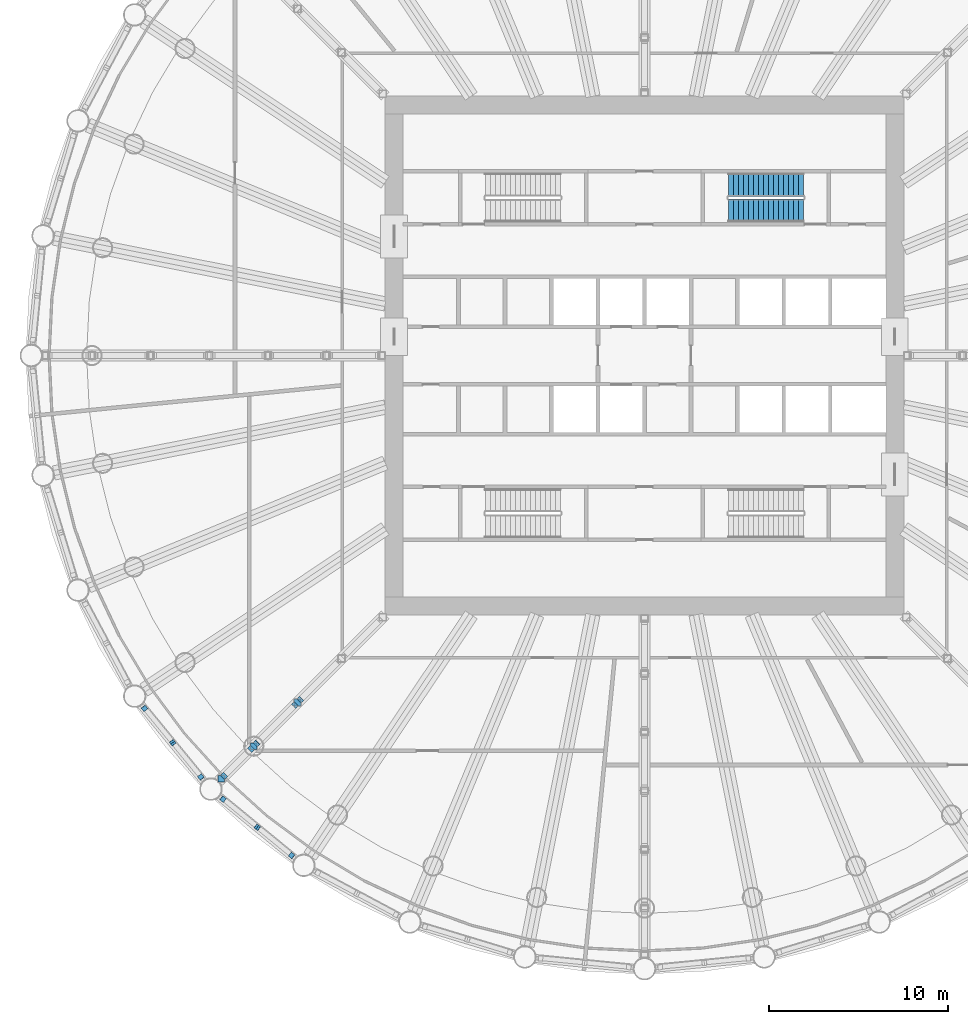
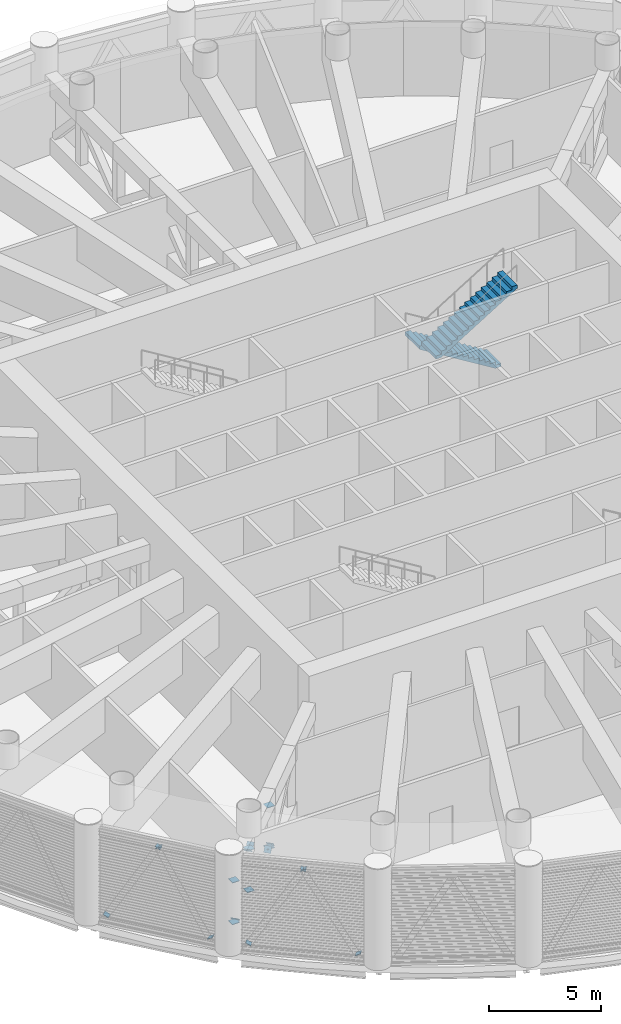
# One storey, part 15 of 29: 19 discrete accessories, 2 stair flights, 1 element without a shape of its own.
"""IFC4 building model written with IfcOpenShell, lengths in metres."""

from ifc_helpers import new_model, si_unit, direction, frame, origin, origin_2d, place, context, subcontext, project, spatial, polyline, rectangle, outline, extrude, material, material_profile, profile_set, type_object, element, aggregate, save


model = new_model("IFC4")

# Units and contexts
model_context = context("Model", 3, precision=1e-05, world=origin(), true_north=direction((0.0, 1.0)))
body_context = subcontext(model_context, "Body", "Model", "MODEL_VIEW")
ifc_project = project(units=[si_unit("LENGTHUNIT", "METRE"), si_unit("AREAUNIT", "SQUARE_METRE"), si_unit("VOLUMEUNIT", "CUBIC_METRE"), si_unit("PLANEANGLEUNIT", "RADIAN"), si_unit("MASSUNIT", "GRAM", prefix="KILO")], contexts=[model_context])

# Site, building, storey
site_placement = place(None, origin())
site = spatial("IfcSite", under=ifc_project, at=site_placement, CompositionType="ELEMENT")
building_placement = place(site_placement, origin())
building = spatial("IfcBuilding", under=site, at=building_placement, Name="Corvane Civic Tower", CompositionType="ELEMENT")
storey_placement = place(building_placement, frame((0.0, 0.0, 138.5)))
storey = spatial("IfcBuildingStorey", under=building, at=storey_placement, Name="L32", CompositionType="ELEMENT", Elevation=138.5)

# Stair, stair flights
ifc_material_1 = material(Name="Concrete C40/50", Category="concrete")
stair_type = type_object("IfcStairType", Name="ST-STAIR-HALFTURN", PredefinedType="HALF_TURN_STAIR", material=ifc_material_1)
stair_placement = place(storey_placement, origin())
stair = element("IfcStair", 1, at=stair_placement, inside=storey, type_object=stair_type, Name="L32 Exit stair ST1", PredefinedType="HALF_TURN_STAIR")
ifc_material_2 = material(Name="Concrete C40/50", Category="concrete")
stair_flight_type = type_object("IfcStairFlightType", Name="ST-FLIGHT-RC", PredefinedType="STRAIGHT", material=ifc_material_2)
stair_flight_1_placement = place(storey_placement, frame((8.89990234375, 9.550048828125, 0.0), z_axis=(0.0, 0.0, 1.0), x_axis=(-1.0, 0.0, 0.0)))
stair_flight_1 = element("IfcStairFlight", 2, at=stair_flight_1_placement, type_object=stair_flight_type, Name="ST1 flight 1", NumberOfRisers=16, NumberOfTreads=15, PredefinedType="STRAIGHT", RiserHeight=0.171875, TreadLength=0.28, context=body_context, shape_type="SweptSolid", body=[
    extrude(outline(polyline([(0.0, 0.0), (0.0, 0.171875), (0.280029296875, 0.171875), (0.280029296875, 0.34375), (0.56005859375, 0.34375), (0.56005859375, 0.515625), (0.840087890625, 0.515625), (0.840087890625, 0.6875), (1.1201171875, 0.6875), (1.1201171875, 0.859375), (1.39990234375, 0.859375), (1.39990234375, 1.03125), (1.679931640625, 1.03125), (1.679931640625, 1.203125), (1.9599609375, 1.203125), (1.9599609375, 1.375), (2.239990234375, 1.375), (2.239990234375, 1.546875), (2.52001953125, 1.546875), (2.52001953125, 1.71875), (2.800048828125, 1.71875), (2.800048828125, 1.890625), (3.080078125, 1.890625), (3.080078125, 2.0625), (3.360107421875, 2.0625), (3.360107421875, 2.234375), (3.639892578125, 2.234375), (3.639892578125, 2.40625), (3.919921875, 2.40625), (3.919921875, 2.578125), (4.199951171875, 2.578125), (4.199951171875, 2.75), (4.199951171875, 2.40234375), (0.28662109375, 0.0), (0.0, 0.0)])), frame((0.0, 0.64990234375, 0.0), z_axis=(0.0, -1.0, 0.0), x_axis=(1.0, 0.0, 0.0)), (0.0, 0.0, 1.0), 1.300048828125),
])
stair_flight_2_placement = place(storey_placement, frame((4.699951171875, 8.10009765625, 2.75), z_axis=(0.0, 0.0, 1.0), x_axis=(1.0, 0.0, 0.0)))
stair_flight_2 = element("IfcStairFlight", 3, at=stair_flight_2_placement, type_object=stair_flight_type, Name="ST1 flight 2", NumberOfRisers=16, NumberOfTreads=15, PredefinedType="STRAIGHT", RiserHeight=0.171875, TreadLength=0.28, context=body_context, shape_type="SweptSolid", body=[
    extrude(outline(polyline([(0.0, 0.0), (0.0, 0.171875), (0.280029296875, 0.171875), (0.280029296875, 0.34375), (0.56005859375, 0.34375), (0.56005859375, 0.515625), (0.840087890625, 0.515625), (0.840087890625, 0.6875), (1.1201171875, 0.6875), (1.1201171875, 0.859375), (1.39990234375, 0.859375), (1.39990234375, 1.03125), (1.679931640625, 1.03125), (1.679931640625, 1.203125), (1.9599609375, 1.203125), (1.9599609375, 1.375), (2.239990234375, 1.375), (2.239990234375, 1.546875), (2.52001953125, 1.546875), (2.52001953125, 1.71875), (2.800048828125, 1.71875), (2.800048828125, 1.890625), (3.080078125, 1.890625), (3.080078125, 2.0625), (3.360107421875, 2.0625), (3.360107421875, 2.234375), (3.639892578125, 2.234375), (3.639892578125, 2.40625), (3.919921875, 2.40625), (3.919921875, 2.578125), (4.199951171875, 2.578125), (4.199951171875, 2.75), (4.199951171875, 2.40234375), (0.28662109375, 0.0), (0.0, 0.0)])), frame((0.0, 0.64990234375, 0.0), z_axis=(0.0, -1.0, 0.0), x_axis=(1.0, 0.0, 0.0)), (0.0, 0.0, 1.0), 1.300048828125),
])
aggregate(stair, [stair_flight_1, stair_flight_2])

# Discrete accessories
ifc_material_3 = material(Name="Steel ASTM A572 Gr 50", Category="steel")
ifc_material_profile_1 = material_profile(ifc_material_3, rectangle(XDim=0.2802734375, YDim=0.2802734375, at=origin_2d()), Name="GUSSET PLATE 25 IN HSS12X12X1/2")
ifc_profile_set_1 = profile_set([ifc_material_profile_1], Name="Steel ASTM A572 Gr 50")
discrete_accessory_type_1 = type_object("IfcDiscreteAccessoryType", Name="GUSSET PLATE 25 IN HSS12X12X1/2", PredefinedType="BRACKET", material=ifc_profile_set_1)
discrete_accessory_1_placement = place(storey_placement, frame((-19.732421875, -27.964111328125, 0.406494140625), z_axis=(-0.392837100659, 0.314269680527, 0.86424162145), x_axis=(-0.624695047554, -0.780868809443, 0.0)))
element("IfcDiscreteAccessory", 4, at=discrete_accessory_1_placement, inside=storey, type_object=discrete_accessory_type_1, Name="Gusset plate BD1 end A", PredefinedType="BRACKET", context=body_context, shape_type="SweptSolid", body=[
    extrude(rectangle(XDim=0.2802734375, YDim=0.2802734375, at=origin_2d()), origin(), (0.0, 0.0, 1.0), 0.02490234375),
])
discrete_accessory_2_placement = place(storey_placement, frame((-21.655029296875, -26.386474609375, 4.74365234375), z_axis=(0.38952622254, -0.311620978032, -0.866695845152), x_axis=(0.624695047554, 0.780868809443, 0.0)))
element("IfcDiscreteAccessory", 5, at=discrete_accessory_2_placement, inside=storey, type_object=discrete_accessory_type_1, Name="Gusset plate BD1 end B", PredefinedType="BRACKET", context=body_context, shape_type="SweptSolid", body=[
    extrude(rectangle(XDim=0.2802734375, YDim=0.2802734375, at=origin_2d()), origin(), (0.0, 0.0, 1.0), 0.025146484375),
])
for number, where, z_axis, x_axis, name in (
    (6, (-23.577392578125, -24.808837890625, 0.406494140625), (0.392837100659, -0.314269680527, 0.86424162145), (0.624695047554, 0.780868809443, 0.0), "Gusset plate BD1 end A"),
    (7, (-21.655029296875, -26.386474609375, 4.74365234375), (-0.381218740201, 0.312794863755, -0.869960714819), (-0.634316611678, -0.773073370483, 0.0), "Gusset plate BD1 end B"),
    (8, (-24.808837890625, -23.577392578125, 0.406494140625), (-0.314269680527, 0.392837100659, 0.86424162145), (-0.780868809443, -0.624695047554, 0.0), "Gusset plate BD1 end A"),
    (9, (-26.386474609375, -21.655029296875, 4.74365234375), (0.312794863755, -0.381218740201, -0.869960714819), (0.773073370483, 0.634316611678, 0.0), "Gusset plate BD1 end B"),
    (10, (-27.964111328125, -19.732421875, 0.406494140625), (0.314269680527, -0.392837100659, 0.86424162145), (0.780868809443, 0.624695047554, 0.0), "Gusset plate BD1 end A"),
):
    element("IfcDiscreteAccessory", number, at=place(storey_placement, frame(where, z_axis=z_axis, x_axis=x_axis)), inside=storey, type_object=discrete_accessory_type_1, Name=name, PredefinedType="BRACKET", context=body_context, shape_type="SweptSolid", body=[
        extrude(rectangle(XDim=0.2802734375, YDim=0.2802734375, at=origin_2d()), origin(), (0.0, 0.0, 1.0), 0.02490234375),
    ])
discrete_accessory_3_placement = place(storey_placement, frame((-26.386474609375, -21.655029296875, 4.74365234375), z_axis=(-0.311620978032, 0.38952622254, -0.866695845152), x_axis=(-0.780868809443, -0.624695047554, 0.0)))
element("IfcDiscreteAccessory", 11, at=discrete_accessory_3_placement, inside=storey, type_object=discrete_accessory_type_1, Name="Gusset plate BD1 end B", PredefinedType="BRACKET", context=body_context, shape_type="SweptSolid", body=[
    extrude(rectangle(XDim=0.2802734375, YDim=0.2802734375, at=origin_2d()), origin(), (0.0, 0.0, 1.0), 0.025146484375),
])
ifc_material_4 = material(Name="Steel ASTM A572 Gr 50", Category="steel")
ifc_material_profile_2 = material_profile(ifc_material_4, rectangle(XDim=0.3310546875, YDim=0.3310546875, at=origin_2d()), Name="GUSSET PLATE 25 IN HSS14X14X1/2")
ifc_profile_set_2 = profile_set([ifc_material_profile_2], Name="Steel ASTM A572 Gr 50")
discrete_accessory_type_2 = type_object("IfcDiscreteAccessoryType", Name="GUSSET PLATE 25 IN HSS14X14X1/2", PredefinedType="BRACKET", material=ifc_profile_set_2)
for number, where, z_axis, x_axis, name in (
    (12, (-19.256103515625, -19.256103515625, 0.89990234375), (0.564091319087, 0.564091319087, 0.602994168679), (-0.707106781187, 0.707106781187, 0.0), "Gusset plate OD1 end B"),
    (13, (-19.54345703125, -19.54345703125, 0.89990234375), (-0.564091319087, -0.564091319087, 0.602994168679), (0.707106781187, -0.707106781187, 0.0), "Gusset plate OD1 end A"),
):
    element("IfcDiscreteAccessory", number, at=place(storey_placement, frame(where, z_axis=z_axis, x_axis=x_axis)), inside=storey, type_object=discrete_accessory_type_2, Name=name, PredefinedType="BRACKET", context=body_context, shape_type="SweptSolid", body=[
        extrude(rectangle(XDim=0.3310546875, YDim=0.3310546875, at=origin_2d()), origin(), (0.0, 0.0, 1.0), 0.025146484375),
    ])
discrete_accessory_4_placement = place(storey_placement, frame((-21.705810546875, -21.705810546875, 3.199951171875), z_axis=(0.563859180868, 0.563859180868, -0.603428246192), x_axis=(-0.707106781187, 0.707106781187, 0.0)))
element("IfcDiscreteAccessory", 14, at=discrete_accessory_4_placement, inside=storey, type_object=discrete_accessory_type_2, Name="Gusset plate OD1 end B", PredefinedType="BRACKET", context=body_context, shape_type="SweptSolid", body=[
    extrude(rectangle(XDim=0.3310546875, YDim=0.3310546875, at=origin_2d()), origin(), (0.0, 0.0, 1.0), 0.024658203125),
])
for number, where, z_axis, x_axis, name in (
    (15, (-21.9931640625, -21.9931640625, 3.199951171875), (-0.488508651467, -0.488508651467, -0.722992804171), (0.707106781187, -0.707106781187, 0.0), "Gusset plate OD1 end A"),
    (16, (-23.5244140625, -23.5244140625, 0.89990234375), (0.479862037013, 0.479862037013, 0.734482709713), (-0.707106781187, 0.707106781187, 0.0), "Gusset plate OD1 end B"),
):
    element("IfcDiscreteAccessory", number, at=place(storey_placement, frame(where, z_axis=z_axis, x_axis=x_axis)), inside=storey, type_object=discrete_accessory_type_2, Name=name, PredefinedType="BRACKET", context=body_context, shape_type="SweptSolid", body=[
        extrude(rectangle(XDim=0.3310546875, YDim=0.3310546875, at=origin_2d()), origin(), (0.0, 0.0, 1.0), 0.02490234375),
    ])
ifc_material_5 = material(Name="Steel ASTM A572 Gr 50", Category="steel")
ifc_material_profile_3 = material_profile(ifc_material_5, rectangle(XDim=0.3759765625, YDim=0.3759765625, at=origin_2d()), Name="GUSSET PLATE 25 IN HSS16X16X5/8")
ifc_profile_set_3 = profile_set([ifc_material_profile_3], Name="Steel ASTM A572 Gr 50")
discrete_accessory_type_3 = type_object("IfcDiscreteAccessoryType", Name="GUSSET PLATE 25 IN HSS16X16X5/8", PredefinedType="BRACKET", material=ifc_profile_set_3)
discrete_accessory_5_placement = place(storey_placement, frame((-19.399658203125, -19.399658203125, 0.89990234375), z_axis=(0.0, 0.0, 1.0), x_axis=(1.0, 0.0, 0.0)))
element("IfcDiscreteAccessory", 17, at=discrete_accessory_5_placement, inside=storey, type_object=discrete_accessory_type_3, Name="Gusset plate OP1 end A", PredefinedType="BRACKET", context=body_context, shape_type="SweptSolid", body=[
    extrude(rectangle(XDim=0.3759765625, YDim=0.3759765625, at=origin_2d()), origin(), (0.0, 0.0, 1.0), 0.025146484375),
])
discrete_accessory_6_placement = place(storey_placement, frame((-19.399658203125, -19.399658203125, 3.199951171875), z_axis=(0.0, 0.0, -1.0), x_axis=(1.0, 0.0, 0.0)))
element("IfcDiscreteAccessory", 18, at=discrete_accessory_6_placement, inside=storey, type_object=discrete_accessory_type_3, Name="Gusset plate OP1 end B", PredefinedType="BRACKET", context=body_context, shape_type="SweptSolid", body=[
    extrude(rectangle(XDim=0.3759765625, YDim=0.3759765625, at=origin_2d()), origin(), (0.0, 0.0, 1.0), 0.02490234375),
])
discrete_accessory_7_placement = place(storey_placement, frame((-21.849609375, -21.849609375, 0.89990234375), z_axis=(0.0, 0.0, 1.0), x_axis=(1.0, 0.0, 0.0)))
element("IfcDiscreteAccessory", 19, at=discrete_accessory_7_placement, inside=storey, type_object=discrete_accessory_type_3, Name="Gusset plate OP1 end A", PredefinedType="BRACKET", context=body_context, shape_type="SweptSolid", body=[
    extrude(rectangle(XDim=0.3759765625, YDim=0.3759765625, at=origin_2d()), origin(), (0.0, 0.0, 1.0), 0.025146484375),
])
discrete_accessory_8_placement = place(storey_placement, frame((-21.849609375, -21.849609375, 3.199951171875), z_axis=(0.0, 0.0, -1.0), x_axis=(1.0, 0.0, 0.0)))
element("IfcDiscreteAccessory", 20, at=discrete_accessory_8_placement, inside=storey, type_object=discrete_accessory_type_3, Name="Gusset plate OP1 end B", PredefinedType="BRACKET", context=body_context, shape_type="SweptSolid", body=[
    extrude(rectangle(XDim=0.3759765625, YDim=0.3759765625, at=origin_2d()), origin(), (0.0, 0.0, 1.0), 0.02490234375),
])
discrete_accessory_9_placement = place(storey_placement, frame((-23.668212890625, -23.668212890625, 0.89990234375), z_axis=(0.0, 0.0, 1.0), x_axis=(1.0, 0.0, 0.0)))
element("IfcDiscreteAccessory", 21, at=discrete_accessory_9_placement, inside=storey, type_object=discrete_accessory_type_3, Name="Gusset plate OP1 end A", PredefinedType="BRACKET", context=body_context, shape_type="SweptSolid", body=[
    extrude(rectangle(XDim=0.3759765625, YDim=0.3759765625, at=origin_2d()), origin(), (0.0, 0.0, 1.0), 0.025146484375),
])
discrete_accessory_10_placement = place(storey_placement, frame((-23.668212890625, -23.668212890625, 3.199951171875), z_axis=(0.0, 0.0, -1.0), x_axis=(1.0, 0.0, 0.0)))
element("IfcDiscreteAccessory", 22, at=discrete_accessory_10_placement, inside=storey, type_object=discrete_accessory_type_3, Name="Gusset plate OP1 end B", PredefinedType="BRACKET", context=body_context, shape_type="SweptSolid", body=[
    extrude(rectangle(XDim=0.3759765625, YDim=0.3759765625, at=origin_2d()), origin(), (0.0, 0.0, 1.0), 0.02490234375),
])

save(model, "model.ifc")
